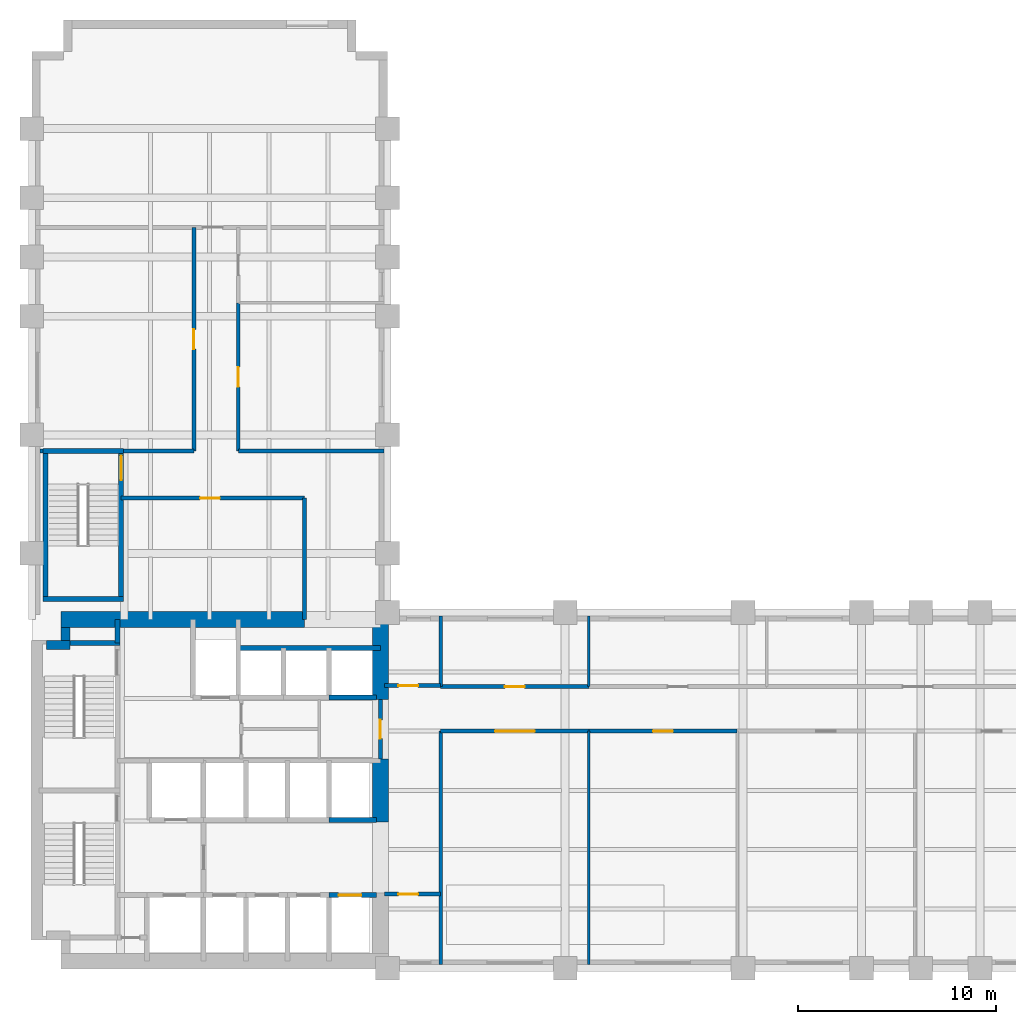
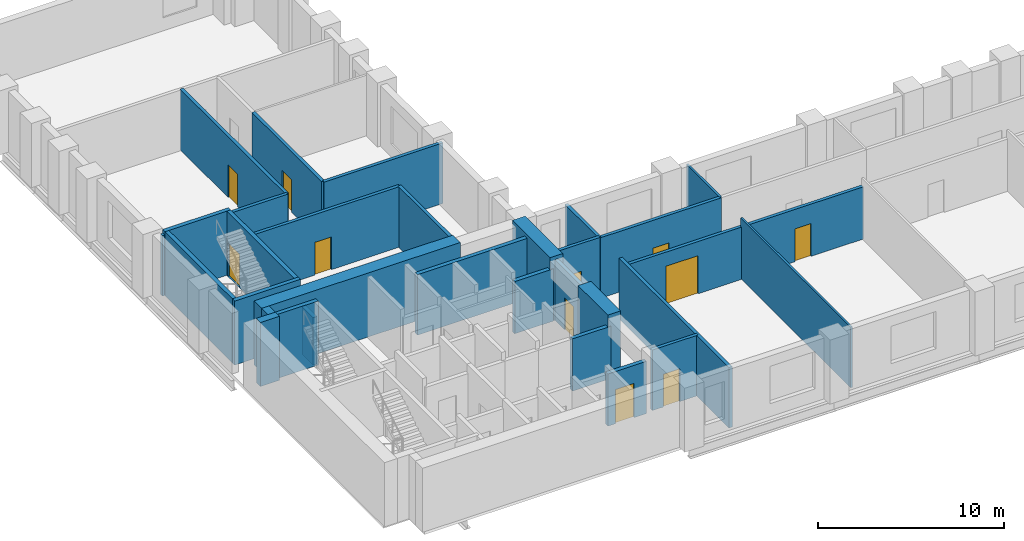
# One storey, part 4 of 7: 32 walls, 11 doors, 11 openings.
"""IFC4 building model written with IfcOpenShell, lengths in metres."""

from ifc_helpers import new_model, si_unit, direction, frame, frame_2d, origin, place, context, subcontext, project, spatial, rectangle, extrude, material, layer, layer_set, type_object, element, fill, save


model = new_model("IFC4")

# Units and contexts
model_context = context("Model", 3, precision=1e-05, world=origin(), true_north=direction((0.0, 1.0)))
body_context = subcontext(model_context, "Body", "Model", "MODEL_VIEW")
ifc_project = project(units=[si_unit("LENGTHUNIT", "METRE"), si_unit("AREAUNIT", "SQUARE_METRE"), si_unit("VOLUMEUNIT", "CUBIC_METRE"), si_unit("PLANEANGLEUNIT", "RADIAN"), si_unit("MASSUNIT", "GRAM", prefix="KILO")], contexts=[model_context])

# Site, building, storey
site_placement = place(None, origin())
site = spatial("IfcSite", under=ifc_project, at=site_placement, CompositionType="ELEMENT")
building_placement = place(site_placement, origin())
building = spatial("IfcBuilding", under=site, at=building_placement, Name="Mawjdan Bourse Tower", CompositionType="ELEMENT")
storey_placement = place(building_placement, frame((0.0, 0.0, 72.0)))
storey = spatial("IfcBuildingStorey", under=building, at=storey_placement, Name="L16", CompositionType="ELEMENT", Elevation=72.0)

# Wall, opening, door
ifc_material_1 = material(Name="Gypsum Fireboard Assembly")
ifc_layer_1 = layer(ifc_material_1, 0.199951171875)
ifc_layer_set_1 = layer_set([ifc_layer_1], Name="Gypsum Fireboard Assembly")
wall_type_1 = type_object("IfcWallType", Name="WL-CMP-200", PredefinedType="PARTITIONING", material=ifc_layer_set_1)
wall_1_placement = place(storey_placement, frame((23.64990234375, 13.60009765625, 0.0), z_axis=(0.0, 0.0, 1.0), x_axis=(0.0, 1.0, 0.0)))
wall_1 = element("IfcWall", 1, at=wall_1_placement, inside=storey, type_object=wall_type_1, Name="L16 Core Restroom East Enclosing Wall", PredefinedType="PARTITIONING", context=body_context, shape_type="SweptSolid", body=[
    extrude(rectangle(XDim=3.0, YDim=0.199951171875, at=frame_2d((1.5, 0.0))), origin(), (0.0, 0.0, 1.0), 3.969970703125),
])
opening_1_placement = place(wall_1_placement, frame((1.02001953125, 0.0, 0.0)))
opening_1 = element("IfcOpeningElement", 2, at=opening_1_placement, cuts=wall_1, Name="Opening D-L16-16", PredefinedType="OPENING", context=body_context, shape_type="SweptSolid", body=[
    extrude(rectangle(XDim=0.949951171875, YDim=2.10009765625, at=frame_2d((0.47509765625, 1.050048828125))), frame((0.0, 0.10986328125, 0.0), z_axis=(0.0, -1.0, 0.0), x_axis=(1.0, 0.0, 0.0)), (0.0, 0.0, 1.0), 0.219970703125),
])
ifc_material_2 = material(Name="Moisture-Resistant Laminate Timber", Category="wood")
door_type_1 = type_object("IfcDoorType", Name="DR-WET-0950", OperationType="NOTDEFINED", PredefinedType="DOOR", material=ifc_material_2)
door_1_placement = place(opening_1_placement, origin())
door_1 = element("IfcDoor", 3, at=door_1_placement, inside=storey, type_object=door_type_1, Name="L16 Female Restroom East Entry Door D-L16-16", OperationType="SINGLE_SWING_LEFT", OverallHeight=2.10009765625, OverallWidth=0.949951171875, PredefinedType="DOOR", context=body_context, shape_type="SweptSolid", body=[
    extrude(rectangle(XDim=0.949951171875, YDim=2.10009765625, at=frame_2d((0.47509765625, 1.050048828125))), frame((0.0, 0.02490234375, 0.0), z_axis=(0.0, -1.0, 0.0), x_axis=(1.0, 0.0, 0.0)), (0.0, 0.0, 1.0), 0.050048828125),
])
fill(opening_1, door_1)

wall_2_placement = place(storey_placement, frame((23.85009765625, 6.75, 0.0), z_axis=(0.0, 0.0, 1.0), x_axis=(1.0, 0.0, 0.0)))
wall_2 = element("IfcWall", 4, at=wall_2_placement, inside=storey, type_object=wall_type_1, Name="L16 West Pocket North Wall", PredefinedType="PARTITIONING", context=body_context, shape_type="SweptSolid", body=[
    extrude(rectangle(XDim=2.849853515625, YDim=0.199951171875, at=frame_2d((1.4248046875, 0.0))), origin(), (0.0, 0.0, 1.0), 3.969970703125),
])
opening_2_placement = place(wall_2_placement, frame((0.699951171875, 0.0, 0.0)))
opening_2 = element("IfcOpeningElement", 5, at=opening_2_placement, cuts=wall_2, Name="Opening D-L16-18", PredefinedType="OPENING", context=body_context, shape_type="SweptSolid", body=[
    extrude(rectangle(XDim=1.0, YDim=2.14990234375, at=frame_2d((0.5, 1.074951171875))), frame((0.0, 0.10986328125, 0.0), z_axis=(0.0, -1.0, 0.0), x_axis=(1.0, 0.0, 0.0)), (0.0, 0.0, 1.0), 0.219970703125),
])
ifc_material_3 = material(Name="Hardwood Acoustic Leaf", Category="wood")
door_type_2 = type_object("IfcDoorType", Name="DR-OFC-1000", OperationType="NOTDEFINED", PredefinedType="DOOR", material=ifc_material_3)
door_2_placement = place(opening_2_placement, origin())
door_2 = element("IfcDoor", 6, at=door_2_placement, inside=storey, type_object=door_type_2, Name="L16 West Pocket Office Door D-L16-18", OperationType="SINGLE_SWING_LEFT", OverallHeight=2.14990234375, OverallWidth=1.0, PredefinedType="DOOR", context=body_context, shape_type="SweptSolid", body=[
    extrude(rectangle(XDim=1.0, YDim=2.14990234375, at=frame_2d((0.5, 1.074951171875))), frame((0.0, 0.02490234375, 0.0), z_axis=(0.0, -1.0, 0.0), x_axis=(1.0, 0.0, 0.0)), (0.0, 0.0, 1.0), 0.050048828125),
])
fill(opening_2, door_2)

wall_3_placement = place(storey_placement, frame((23.85009765625, 17.300048828125, 0.0), z_axis=(0.0, 0.0, 1.0), x_axis=(1.0, 0.0, 0.0)))
wall_3 = element("IfcWall", 7, at=wall_3_placement, inside=storey, type_object=wall_type_1, Name="L16 West North Pocket Wall", PredefinedType="PARTITIONING", context=body_context, shape_type="SweptSolid", body=[
    extrude(rectangle(XDim=2.849853515625, YDim=0.199951171875, at=frame_2d((1.4248046875, 0.0))), origin(), (0.0, 0.0, 1.0), 3.969970703125),
])
opening_3_placement = place(wall_3_placement, frame((0.699951171875, 0.0, 0.0)))
opening_3 = element("IfcOpeningElement", 8, at=opening_3_placement, cuts=wall_3, Name="Opening D-L16-19", PredefinedType="OPENING", context=body_context, shape_type="SweptSolid", body=[
    extrude(rectangle(XDim=1.0, YDim=2.14990234375, at=frame_2d((0.5, 1.074951171875))), frame((0.0, 0.10986328125, 0.0), z_axis=(0.0, -1.0, 0.0), x_axis=(1.0, 0.0, 0.0)), (0.0, 0.0, 1.0), 0.219970703125),
])
door_3_placement = place(opening_3_placement, origin())
door_3 = element("IfcDoor", 9, at=door_3_placement, inside=storey, type_object=door_type_2, Name="L16 West North Pocket Door D-L16-19", OperationType="SINGLE_SWING_RIGHT", OverallHeight=2.14990234375, OverallWidth=1.0, PredefinedType="DOOR", context=body_context, shape_type="SweptSolid", body=[
    extrude(rectangle(XDim=1.0, YDim=2.14990234375, at=frame_2d((0.5, 1.074951171875))), frame((0.0, 0.02490234375, 0.0), z_axis=(0.0, -1.0, 0.0), x_axis=(1.0, 0.0, 0.0)), (0.0, 0.0, 1.0), 0.050048828125),
])
fill(opening_3, door_3)

# Walls
wall_4_placement = place(storey_placement, frame((26.699951171875, 3.179931640625, 0.0), z_axis=(0.0, 0.0, 1.0), x_axis=(0.0, 1.0, 0.0)))
element("IfcWall", 10, at=wall_4_placement, inside=storey, type_object=wall_type_1, Name="L16 Vestibule South East Wall", PredefinedType="PARTITIONING", context=body_context, shape_type="SweptSolid", body=[
    extrude(rectangle(XDim=11.820068359375, YDim=0.199951171875, at=frame_2d((5.91015625, 0.0))), origin(), (0.0, 0.0, 1.0), 3.969970703125),
])
wall_5_placement = place(storey_placement, frame((26.699951171875, 17.25, 0.0), z_axis=(0.0, 0.0, 1.0), x_axis=(0.0, 1.0, 0.0)))
element("IfcWall", 11, at=wall_5_placement, inside=storey, type_object=wall_type_1, Name="L16 Vestibule North East Wall", PredefinedType="PARTITIONING", context=body_context, shape_type="SweptSolid", body=[
    extrude(rectangle(XDim=3.570068359375, YDim=0.199951171875, at=frame_2d((1.78515625, 0.0))), origin(), (0.0, 0.0, 1.0), 3.969970703125),
])

# Wall, opening, door
wall_6_placement = place(storey_placement, frame((26.699951171875, 15.0, 0.0), z_axis=(0.0, 0.0, 1.0), x_axis=(1.0, 0.0, 0.0)))
wall_6 = element("IfcWall", 12, at=wall_6_placement, inside=storey, type_object=wall_type_1, Name="L16 Trading Floor Corridor Wall", PredefinedType="PARTITIONING", context=body_context, shape_type="SweptSolid", body=[
    extrude(rectangle(XDim=7.5, YDim=0.199951171875, at=frame_2d((3.75, 0.0))), origin(), (0.0, 0.0, 1.0), 3.426025390625),
])
opening_4_placement = place(wall_6_placement, frame((2.75, 0.0, 0.0)))
opening_4 = element("IfcOpeningElement", 13, at=opening_4_placement, cuts=wall_6, Name="Opening D-L16-20", PredefinedType="OPENING", context=body_context, shape_type="SweptSolid", body=[
    extrude(rectangle(XDim=2.0, YDim=2.5, at=frame_2d((1.0, 1.25))), frame((0.0, 0.10986328125, 0.0), z_axis=(0.0, -1.0, 0.0), x_axis=(1.0, 0.0, 0.0)), (0.0, 0.0, 1.0), 0.219970703125),
])
ifc_material_4 = material(Name="Acoustic Veneered Timber", Category="wood")
door_type_3 = type_object("IfcDoorType", Name="DR-ASM-2000", OperationType="DOUBLE_DOOR_SINGLE_SWING", PredefinedType="DOOR", material=ifc_material_4)
door_4_placement = place(opening_4_placement, origin())
door_4 = element("IfcDoor", 14, at=door_4_placement, inside=storey, type_object=door_type_3, Name="L16 Trading Floor Door D-L16-20", OperationType="DOUBLE_DOOR_SINGLE_SWING", OverallHeight=2.5, OverallWidth=2.0, PredefinedType="DOOR", context=body_context, shape_type="SweptSolid", body=[
    extrude(rectangle(XDim=2.0, YDim=2.5, at=frame_2d((1.0, 1.25))), frame((0.0, 0.02490234375, 0.0), z_axis=(0.0, -1.0, 0.0), x_axis=(1.0, 0.0, 0.0)), (0.0, 0.0, 1.0), 0.050048828125),
])
fill(opening_4, door_4)

wall_7_placement = place(storey_placement, frame((34.199951171875, 15.0, 0.0), z_axis=(0.0, 0.0, 1.0), x_axis=(1.0, 0.0, 0.0)))
wall_7 = element("IfcWall", 15, at=wall_7_placement, inside=storey, type_object=wall_type_1, Name="L16 Fixed Income Office Corridor Wall", PredefinedType="PARTITIONING", context=body_context, shape_type="SweptSolid", body=[
    extrude(rectangle(XDim=7.5, YDim=0.199951171875, at=frame_2d((3.75, 0.0))), origin(), (0.0, 0.0, 1.0), 3.426025390625),
])
opening_5_placement = place(wall_7_placement, frame((3.25, 0.0, 0.0)))
opening_5 = element("IfcOpeningElement", 16, at=opening_5_placement, cuts=wall_7, Name="Opening D-L16-21", PredefinedType="OPENING", context=body_context, shape_type="SweptSolid", body=[
    extrude(rectangle(XDim=1.0, YDim=2.14990234375, at=frame_2d((0.5, 1.074951171875))), frame((0.0, 0.10986328125, 0.0), z_axis=(0.0, -1.0, 0.0), x_axis=(1.0, 0.0, 0.0)), (0.0, 0.0, 1.0), 0.219970703125),
])
door_5_placement = place(opening_5_placement, origin())
door_5 = element("IfcDoor", 17, at=door_5_placement, inside=storey, type_object=door_type_2, Name="L16 Fixed Income Office Door D-L16-21", OperationType="SINGLE_SWING_LEFT", OverallHeight=2.14990234375, OverallWidth=1.0, PredefinedType="DOOR", context=body_context, shape_type="SweptSolid", body=[
    extrude(rectangle(XDim=1.0, YDim=2.14990234375, at=frame_2d((0.5, 1.074951171875))), frame((0.0, 0.02490234375, 0.0), z_axis=(0.0, -1.0, 0.0), x_axis=(1.0, 0.0, 0.0)), (0.0, 0.0, 1.0), 0.050048828125),
])
fill(opening_5, door_5)

wall_8_placement = place(storey_placement, frame((26.699951171875, 17.25, 0.0), z_axis=(0.0, 0.0, 1.0), x_axis=(1.0, 0.0, 0.0)))
wall_8 = element("IfcWall", 18, at=wall_8_placement, inside=storey, type_object=wall_type_1, Name="L16 Executive Office Corridor Wall", PredefinedType="PARTITIONING", context=body_context, shape_type="SweptSolid", body=[
    extrude(rectangle(XDim=7.5, YDim=0.199951171875, at=frame_2d((3.75, 0.0))), origin(), (0.0, 0.0, 1.0), 3.969970703125),
])
opening_6_placement = place(wall_8_placement, frame((3.25, 0.0, 0.0)))
opening_6 = element("IfcOpeningElement", 19, at=opening_6_placement, cuts=wall_8, Name="Opening D-L16-24", PredefinedType="OPENING", context=body_context, shape_type="SweptSolid", body=[
    extrude(rectangle(XDim=1.0, YDim=2.14990234375, at=frame_2d((0.5, 1.074951171875))), frame((0.0, 0.10986328125, 0.0), z_axis=(0.0, -1.0, 0.0), x_axis=(1.0, 0.0, 0.0)), (0.0, 0.0, 1.0), 0.219970703125),
])
door_6_placement = place(opening_6_placement, origin())
door_6 = element("IfcDoor", 20, at=door_6_placement, inside=storey, type_object=door_type_2, Name="L16 Executive Office Door D-L16-24", OperationType="SINGLE_SWING_RIGHT", OverallHeight=2.14990234375, OverallWidth=1.0, PredefinedType="DOOR", context=body_context, shape_type="SweptSolid", body=[
    extrude(rectangle(XDim=1.0, YDim=2.14990234375, at=frame_2d((0.5, 1.074951171875))), frame((0.0, 0.02490234375, 0.0), z_axis=(0.0, -1.0, 0.0), x_axis=(1.0, 0.0, 0.0)), (0.0, 0.0, 1.0), 0.050048828125),
])
fill(opening_6, door_6)

wall_9_placement = place(storey_placement, frame((10.52001953125, 26.800048828125, 0.0), z_axis=(0.0, 0.0, 1.0), x_axis=(1.0, 0.0, 0.0)))
wall_9 = element("IfcWall", 21, at=wall_9_placement, inside=storey, type_object=wall_type_1, Name="L16 North Throat North Wall", PredefinedType="PARTITIONING", context=body_context, shape_type="SweptSolid", body=[
    extrude(rectangle(XDim=9.280029296875, YDim=0.199951171875, at=frame_2d((4.64013671875, 0.0))), origin(), (0.0, 0.0, 1.0), 3.969970703125),
])
opening_7_placement = place(wall_9_placement, frame((4.0, 0.0, 0.0)))
opening_7 = element("IfcOpeningElement", 22, at=opening_7_placement, cuts=wall_9, Name="Opening D-L16-28", PredefinedType="OPENING", context=body_context, shape_type="SweptSolid", body=[
    extrude(rectangle(XDim=1.0, YDim=2.14990234375, at=frame_2d((0.5, 1.074951171875))), frame((0.0, 0.10986328125, 0.0), z_axis=(0.0, -1.0, 0.0), x_axis=(1.0, 0.0, 0.0)), (0.0, 0.0, 1.0), 0.219970703125),
])
door_7_placement = place(opening_7_placement, origin())
door_7 = element("IfcDoor", 23, at=door_7_placement, inside=storey, type_object=door_type_2, Name="L16 North Throat Suite Door D-L16-28", OperationType="SINGLE_SWING_LEFT", OverallHeight=2.14990234375, OverallWidth=1.0, PredefinedType="DOOR", context=body_context, shape_type="SweptSolid", body=[
    extrude(rectangle(XDim=1.0, YDim=2.14990234375, at=frame_2d((0.5, 1.074951171875))), frame((0.0, 0.02490234375, 0.0), z_axis=(0.0, -1.0, 0.0), x_axis=(1.0, 0.0, 0.0)), (0.0, 0.0, 1.0), 0.050048828125),
])
fill(opening_7, door_7)

# Walls
wall_10_placement = place(storey_placement, frame((19.800048828125, 20.64990234375, 0.0), z_axis=(0.0, 0.0, 1.0), x_axis=(0.0, 1.0, 0.0)))
element("IfcWall", 24, at=wall_10_placement, inside=storey, type_object=wall_type_1, Name="L16 North Throat East Wall", PredefinedType="PARTITIONING", context=body_context, shape_type="SweptSolid", body=[
    extrude(rectangle(XDim=6.150146484375, YDim=0.199951171875, at=frame_2d((3.0751953125, 0.0))), origin(), (0.0, 0.0, 1.0), 3.969970703125),
])
wall_11_placement = place(storey_placement, frame((6.419921875, 29.179931640625, 0.0), z_axis=(0.0, 0.0, 1.0), x_axis=(1.0, 0.0, 0.0)))
element("IfcWall", 25, at=wall_11_placement, inside=storey, type_object=wall_type_1, Name="L16 North West Band ST3 West Return", PredefinedType="PARTITIONING", context=body_context, shape_type="SweptSolid", body=[
    extrude(rectangle(XDim=0.135009765625, YDim=0.199951171875, at=frame_2d((0.0673828125, 0.0))), origin(), (0.0, 0.0, 1.0), 3.969970703125),
])
wall_12_placement = place(storey_placement, frame((10.6298828125, 29.179931640625, 0.0), z_axis=(0.0, 0.0, 1.0), x_axis=(1.0, 0.0, 0.0)))
element("IfcWall", 26, at=wall_12_placement, inside=storey, type_object=wall_type_1, Name="L16 North West Band South Wall", PredefinedType="PARTITIONING", context=body_context, shape_type="SweptSolid", body=[
    extrude(rectangle(XDim=3.570068359375, YDim=0.199951171875, at=frame_2d((1.78515625, 0.0))), origin(), (0.0, 0.0, 1.0), 3.969970703125),
])
wall_13_placement = place(storey_placement, frame((16.449951171875, 29.179931640625, 0.0), z_axis=(0.0, 0.0, 1.0), x_axis=(1.0, 0.0, 0.0)))
element("IfcWall", 27, at=wall_13_placement, inside=storey, type_object=wall_type_1, Name="L16 North East Band South Wall", PredefinedType="PARTITIONING", context=body_context, shape_type="SweptSolid", body=[
    extrude(rectangle(XDim=7.3701171875, YDim=0.199951171875, at=frame_2d((3.68505859375, 0.0))), origin(), (0.0, 0.0, 1.0), 3.969970703125),
])

# Wall, opening, door
wall_14_placement = place(storey_placement, frame((14.199951171875, 29.179931640625, 0.0), z_axis=(0.0, 0.0, 1.0), x_axis=(0.0, 1.0, 0.0)))
wall_14 = element("IfcWall", 28, at=wall_14_placement, inside=storey, type_object=wall_type_1, Name="L16 Fixed Income Office Corridor Wall", PredefinedType="PARTITIONING", context=body_context, shape_type="SweptSolid", body=[
    extrude(rectangle(XDim=11.320068359375, YDim=0.199951171875, at=frame_2d((5.66015625, 0.0))), origin(), (0.0, 0.0, 1.0), 3.969970703125),
])
opening_8_placement = place(wall_14_placement, frame((5.159912109375, 0.0, 0.0)))
opening_8 = element("IfcOpeningElement", 29, at=opening_8_placement, cuts=wall_14, Name="Opening D-L16-29", PredefinedType="OPENING", context=body_context, shape_type="SweptSolid", body=[
    extrude(rectangle(XDim=1.0, YDim=2.14990234375, at=frame_2d((0.5, 1.074951171875))), frame((0.0, 0.10986328125, 0.0), z_axis=(0.0, -1.0, 0.0), x_axis=(1.0, 0.0, 0.0)), (0.0, 0.0, 1.0), 0.219970703125),
])
door_8_placement = place(opening_8_placement, origin())
door_8 = element("IfcDoor", 30, at=door_8_placement, inside=storey, type_object=door_type_2, Name="L16 Fixed Income Office Door D-L16-29", OperationType="SINGLE_SWING_RIGHT", OverallHeight=2.14990234375, OverallWidth=1.0, PredefinedType="DOOR", context=body_context, shape_type="SweptSolid", body=[
    extrude(rectangle(XDim=1.0, YDim=2.14990234375, at=frame_2d((0.5, 1.074951171875))), frame((0.0, 0.02490234375, 0.0), z_axis=(0.0, -1.0, 0.0), x_axis=(1.0, 0.0, 0.0)), (0.0, 0.0, 1.0), 0.050048828125),
])
fill(opening_8, door_8)

wall_15_placement = place(storey_placement, frame((16.449951171875, 29.179931640625, 0.0), z_axis=(0.0, 0.0, 1.0), x_axis=(0.0, 1.0, 0.0)))
wall_15 = element("IfcWall", 31, at=wall_15_placement, inside=storey, type_object=wall_type_1, Name="L16 Training Seminar Room Corridor Wall", PredefinedType="PARTITIONING", context=body_context, shape_type="SweptSolid", body=[
    extrude(rectangle(XDim=7.5, YDim=0.199951171875, at=frame_2d((3.75, 0.0))), origin(), (0.0, 0.0, 1.0), 3.969970703125),
])
opening_9_placement = place(wall_15_placement, frame((3.25, 0.0, 0.0)))
opening_9 = element("IfcOpeningElement", 32, at=opening_9_placement, cuts=wall_15, Name="Opening D-L16-30", PredefinedType="OPENING", context=body_context, shape_type="SweptSolid", body=[
    extrude(rectangle(XDim=1.0, YDim=2.14990234375, at=frame_2d((0.5, 1.074951171875))), frame((0.0, 0.10986328125, 0.0), z_axis=(0.0, -1.0, 0.0), x_axis=(1.0, 0.0, 0.0)), (0.0, 0.0, 1.0), 0.219970703125),
])
door_9_placement = place(opening_9_placement, origin())
door_9 = element("IfcDoor", 33, at=door_9_placement, inside=storey, type_object=door_type_2, Name="L16 Training Seminar Room Door D-L16-30", OperationType="SINGLE_SWING_LEFT", OverallHeight=2.14990234375, OverallWidth=1.0, PredefinedType="DOOR", context=body_context, shape_type="SweptSolid", body=[
    extrude(rectangle(XDim=1.0, YDim=2.14990234375, at=frame_2d((0.5, 1.074951171875))), frame((0.0, 0.02490234375, 0.0), z_axis=(0.0, -1.0, 0.0), x_axis=(1.0, 0.0, 0.0)), (0.0, 0.0, 1.0), 0.050048828125),
])
fill(opening_9, door_9)

# Walls
ifc_material_5 = material(Name="Concrete C60/75", Category="concrete")
ifc_layer_2 = layer(ifc_material_5, 0.449951171875)
ifc_layer_set_2 = layer_set([ifc_layer_2], Name="Concrete C60/75")
wall_type_2 = type_object("IfcWallType", Name="WL-CORE-450", PredefinedType="SHEAR", material=ifc_layer_set_2)
wall_16_placement = place(storey_placement, frame((6.75, 19.35009765625, 0.0), z_axis=(0.0, 0.0, 1.0), x_axis=(1.0, 0.0, 0.0)))
element("IfcWall", 34, at=wall_16_placement, inside=storey, type_object=wall_type_2, Name="L16 Rear Core Shear Wall NW-X", PredefinedType="SHEAR", context=body_context, shape_type="SweptSolid", body=[
    extrude(rectangle(XDim=1.175048828125, YDim=0.449951171875, at=frame_2d((0.58740234375, 0.0))), origin(), (0.0, 0.0, 1.0), 4.199951171875),
])
wall_17_placement = place(storey_placement, frame((7.699951171875, 19.574951171875, 0.0), z_axis=(0.0, 0.0, 1.0), x_axis=(0.0, 1.0, 0.0)))
element("IfcWall", 35, at=wall_17_placement, inside=storey, type_object=wall_type_2, Name="L16 Rear Core Shear Wall NW-Y", PredefinedType="SHEAR", context=body_context, shape_type="SweptSolid", body=[
    extrude(rectangle(XDim=0.675048828125, YDim=0.449951171875, at=frame_2d((0.33740234375, 0.0))), origin(), (0.0, 0.0, 1.0), 4.199951171875),
])
ifc_material_6 = material(Name="Concrete C80/95", Category="concrete")
ifc_layer_3 = layer(ifc_material_6, 0.800048828125)
ifc_layer_set_3 = layer_set([ifc_layer_3], Name="Concrete C80/95")
wall_type_3 = type_object("IfcWallType", Name="WL-CORE-800", PredefinedType="SHEAR", material=ifc_layer_set_3)
wall_18_placement = place(storey_placement, frame((7.47509765625, 20.64990234375, 0.0), z_axis=(0.0, 0.0, 1.0), x_axis=(1.0, 0.0, 0.0)))
element("IfcWall", 36, at=wall_18_placement, inside=storey, type_object=wall_type_3, Name="L16 Rear Core Shear Wall N", PredefinedType="SHEAR", context=body_context, shape_type="SweptSolid", body=[
    extrude(rectangle(XDim=12.324951171875, YDim=0.800048828125, at=frame_2d((6.16259765625, 0.0))), origin(), (0.0, 0.0, 1.0), 4.199951171875),
])
wall_19_placement = place(storey_placement, frame((23.64990234375, 10.39990234375, 0.0), z_axis=(0.0, 0.0, 1.0), x_axis=(0.0, 1.0, 0.0)))
element("IfcWall", 37, at=wall_19_placement, inside=storey, type_object=wall_type_3, Name="L16 Rear Core Shear Wall E2", PredefinedType="SHEAR", context=body_context, shape_type="SweptSolid", body=[
    extrude(rectangle(XDim=3.2001953125, YDim=0.800048828125, at=frame_2d((1.60009765625, 0.0))), origin(), (0.0, 0.0, 1.0), 4.199951171875),
])
wall_20_placement = place(storey_placement, frame((23.64990234375, 16.60009765625, 0.0), z_axis=(0.0, 0.0, 1.0), x_axis=(0.0, 1.0, 0.0)))
element("IfcWall", 38, at=wall_20_placement, inside=storey, type_object=wall_type_3, Name="L16 Rear Core Shear Wall E3", PredefinedType="SHEAR", context=body_context, shape_type="SweptSolid", body=[
    extrude(rectangle(XDim=4.0498046875, YDim=0.800048828125, at=frame_2d((2.02490234375, 0.0))), origin(), (0.0, 0.0, 1.0), 4.199951171875),
])
ifc_material_7 = material(Name="Gypsum Partition")
ifc_layer_4 = layer(ifc_material_7, 0.125)
ifc_layer_set_4 = layer_set([ifc_layer_4], Name="Gypsum Partition")
wall_type_4 = type_object("IfcWallType", Name="WL-PRT-125", PredefinedType="PARTITIONING", material=ifc_layer_set_4)
wall_21_placement = place(storey_placement, frame((34.199951171875, 3.179931640625, 0.0), z_axis=(0.0, 0.0, 1.0), x_axis=(0.0, 1.0, 0.0)))
element("IfcWall", 39, at=wall_21_placement, inside=storey, type_object=wall_type_4, Name="L16 Fixed Income Office Partition", PredefinedType="PARTITIONING", context=body_context, shape_type="SweptSolid", body=[
    extrude(rectangle(XDim=11.820068359375, YDim=0.125, at=frame_2d((5.91015625, 0.0))), origin(), (0.0, 0.0, 1.0), 3.969970703125),
])
wall_22_placement = place(storey_placement, frame((34.199951171875, 17.25, 0.0), z_axis=(0.0, 0.0, 1.0), x_axis=(0.0, 1.0, 0.0)))
element("IfcWall", 40, at=wall_22_placement, inside=storey, type_object=wall_type_4, Name="L16 Training Seminar Room Partition", PredefinedType="PARTITIONING", context=body_context, shape_type="SweptSolid", body=[
    extrude(rectangle(XDim=3.570068359375, YDim=0.125, at=frame_2d((1.78515625, 0.0))), origin(), (0.0, 0.0, 1.0), 3.969970703125),
])
ifc_material_8 = material(Name="Concrete C50/60", Category="concrete")
ifc_layer_5 = layer(ifc_material_8, 0.25)
ifc_layer_set_5 = layer_set([ifc_layer_5], Name="Concrete C50/60")
wall_type_5 = type_object("IfcWallType", Name="WL-SHFT-250", PredefinedType="PARTITIONING", material=ifc_layer_set_5)
wall_23_placement = place(storey_placement, frame((10.330078125, 19.449951171875, 0.0), z_axis=(0.0, 0.0, 1.0), x_axis=(0.0, 1.0, 0.0)))
element("IfcWall", 41, at=wall_23_placement, inside=storey, type_object=wall_type_5, Name="L16 NW Riser East Wall", PredefinedType="PARTITIONING", context=body_context, shape_type="SweptSolid", body=[
    extrude(rectangle(XDim=1.199951171875, YDim=0.25, at=frame_2d((0.60009765625, 0.0))), origin(), (0.0, 0.0, 1.0), 3.114013671875),
])
wall_24_placement = place(storey_placement, frame((21.050048828125, 16.699951171875, 0.0), z_axis=(0.0, 0.0, 1.0), x_axis=(1.0, 0.0, 0.0)))
element("IfcWall", 42, at=wall_24_placement, inside=storey, type_object=wall_type_5, Name="L16 PH-03 Front Wall", PredefinedType="PARTITIONING", context=body_context, shape_type="SweptSolid", body=[
    extrude(rectangle(XDim=2.39990234375, YDim=0.25, at=frame_2d((1.199951171875, 0.0))), origin(), (0.0, 0.0, 1.0), 3.426025390625),
])
wall_25_placement = place(storey_placement, frame((16.449951171875, 19.199951171875, 0.0), z_axis=(0.0, 0.0, 1.0), x_axis=(1.0, 0.0, 0.0)))
element("IfcWall", 43, at=wall_25_placement, inside=storey, type_object=wall_type_5, Name="L16 PH Bank North Shaft Back Wall", PredefinedType="PARTITIONING", context=body_context, shape_type="SweptSolid", body=[
    extrude(rectangle(XDim=7.199951171875, YDim=0.25, at=frame_2d((3.60009765625, 0.0))), origin(), (0.0, 0.0, 1.0), 3.969970703125),
])

# Wall, opening, door
wall_26_placement = place(storey_placement, frame((21.050048828125, 6.699951171875, 0.0), z_axis=(0.0, 0.0, 1.0), x_axis=(1.0, 0.0, 0.0)))
wall_26 = element("IfcWall", 44, at=wall_26_placement, inside=storey, type_object=wall_type_5, Name="L16 PL-03 Front Wall", PredefinedType="PARTITIONING", context=body_context, shape_type="SweptSolid", body=[
    extrude(rectangle(XDim=2.39990234375, YDim=0.25, at=frame_2d((1.199951171875, 0.0))), origin(), (0.0, 0.0, 1.0), 3.426025390625),
])
opening_10_placement = place(wall_26_placement, frame((0.47998046875, 0.0, 0.0)))
opening_10 = element("IfcOpeningElement", 45, at=opening_10_placement, cuts=wall_26, Name="Opening LD-L16-13", PredefinedType="OPENING", context=body_context, shape_type="SweptSolid", body=[
    extrude(rectangle(XDim=1.14990234375, YDim=2.25, at=frame_2d((0.574951171875, 1.125))), frame((0.0, 0.135009765625, 0.0), z_axis=(0.0, -1.0, 0.0), x_axis=(1.0, 0.0, 0.0)), (0.0, 0.0, 1.0), 0.27001953125),
])
ifc_material_9 = material(Name="Brushed Stainless Steel", Category="steel")
door_type_4 = type_object("IfcDoorType", Name="LD-PAS-1150", OperationType="DOUBLE_DOOR_SLIDING", PredefinedType="DOOR", material=ifc_material_9)
door_10_placement = place(opening_10_placement, origin())
door_10 = element("IfcDoor", 46, at=door_10_placement, inside=storey, type_object=door_type_4, Name="L16 Lift PL-03 Landing Door LD-L16-13", OperationType="DOUBLE_DOOR_SLIDING", OverallHeight=2.25, OverallWidth=1.14990234375, PredefinedType="DOOR", context=body_context, shape_type="SweptSolid", body=[
    extrude(rectangle(XDim=1.14990234375, YDim=2.25, at=frame_2d((0.574951171875, 1.125))), frame((0.0, 0.02490234375, 0.0), z_axis=(0.0, -1.0, 0.0), x_axis=(1.0, 0.0, 0.0)), (0.0, 0.0, 1.0), 0.050048828125),
])
fill(opening_10, door_10)

# Walls
wall_27_placement = place(storey_placement, frame((21.050048828125, 10.5, 0.0), z_axis=(0.0, 0.0, 1.0), x_axis=(1.0, 0.0, 0.0)))
element("IfcWall", 47, at=wall_27_placement, inside=storey, type_object=wall_type_5, Name="L16 PM-04 Front Wall", PredefinedType="PARTITIONING", context=body_context, shape_type="SweptSolid", body=[
    extrude(rectangle(XDim=2.39990234375, YDim=0.25, at=frame_2d((1.199951171875, 0.0))), origin(), (0.0, 0.0, 1.0), 3.426025390625),
])
ifc_layer_6 = layer(ifc_material_8, 0.25)
ifc_layer_set_6 = layer_set([ifc_layer_6], Name="Concrete C50/60")
wall_type_6 = type_object("IfcWallType", Name="WL-STRW-250", PredefinedType="SHEAR", material=ifc_layer_set_6)
wall_28_placement = place(storey_placement, frame((7.699951171875, 19.449951171875, 0.0), z_axis=(0.0, 0.0, 1.0), x_axis=(1.0, 0.0, 0.0)))
element("IfcWall", 48, at=wall_28_placement, inside=storey, type_object=wall_type_6, Name="L16 Stairwell ST2 North Shaft Wall", PredefinedType="SHEAR", context=body_context, shape_type="SweptSolid", body=[
    extrude(rectangle(XDim=2.755126953125, YDim=0.25, at=frame_2d((1.37744140625, 0.0))), origin(), (0.0, 0.0, 1.0), 4.199951171875),
])
for number, where, z_axis, x_axis, name in (
    (49, (6.554931640625, 21.679931640625, 0.0), (0.0, 0.0, 1.0), (1.0, 0.0, 0.0), "L16 ST3 South Shaft Wall"),
    (50, (6.554931640625, 29.179931640625, 0.0), (0.0, 0.0, 1.0), (1.0, 0.0, 0.0), "L16 ST3 North Shaft Wall"),
):
    element("IfcWall", number, at=place(storey_placement, frame(where, z_axis=z_axis, x_axis=x_axis)), inside=storey, type_object=wall_type_6, Name=name, PredefinedType="SHEAR", context=body_context, shape_type="SweptSolid", body=[
        extrude(rectangle(XDim=4.090087890625, YDim=0.25, at=frame_2d((2.044921875, 0.0))), origin(), (0.0, 0.0, 1.0), 4.199951171875),
    ])
wall_29_placement = place(storey_placement, frame((6.679931640625, 21.679931640625, 0.0), z_axis=(0.0, 0.0, 1.0), x_axis=(0.0, 1.0, 0.0)))
element("IfcWall", 51, at=wall_29_placement, inside=storey, type_object=wall_type_6, Name="L16 ST3 West Shaft Wall", PredefinedType="SHEAR", context=body_context, shape_type="SweptSolid", body=[
    extrude(rectangle(XDim=7.5, YDim=0.25, at=frame_2d((3.75, 0.0))), origin(), (0.0, 0.0, 1.0), 4.199951171875),
])

# Wall, opening, door
wall_30_placement = place(storey_placement, frame((10.52001953125, 21.679931640625, 0.0), z_axis=(0.0, 0.0, 1.0), x_axis=(0.0, 1.0, 0.0)))
wall_30 = element("IfcWall", 52, at=wall_30_placement, inside=storey, type_object=wall_type_6, Name="L16 ST3 East Shaft Wall", PredefinedType="SHEAR", context=body_context, shape_type="SweptSolid", body=[
    extrude(rectangle(XDim=7.5, YDim=0.25, at=frame_2d((3.75, 0.0))), origin(), (0.0, 0.0, 1.0), 4.199951171875),
])
opening_11_placement = place(wall_30_placement, frame((6.02001953125, 0.0, 0.0)))
opening_11 = element("IfcOpeningElement", 53, at=opening_11_placement, cuts=wall_30, Name="Opening SD-L16-17", PredefinedType="OPENING", context=body_context, shape_type="SweptSolid", body=[
    extrude(rectangle(XDim=1.25, YDim=2.199951171875, at=frame_2d((0.625, 1.10009765625))), frame((0.0, 0.135009765625, 0.0), z_axis=(0.0, -1.0, 0.0), x_axis=(1.0, 0.0, 0.0)), (0.0, 0.0, 1.0), 0.27001953125),
])
ifc_material_10 = material(Name="Fire-Rated Steel Leaf", Category="steel")
door_type_5 = type_object("IfcDoorType", Name="FD-ST-1250", OperationType="NOTDEFINED", PredefinedType="DOOR", material=ifc_material_10)
door_11_placement = place(opening_11_placement, origin())
door_11 = element("IfcDoor", 54, at=door_11_placement, inside=storey, type_object=door_type_5, Name="L16 Stair ST3 Fire Door SD-L16-17", OperationType="SINGLE_SWING_RIGHT", OverallHeight=2.199951171875, OverallWidth=1.25, PredefinedType="DOOR", context=body_context, shape_type="SweptSolid", body=[
    extrude(rectangle(XDim=1.25, YDim=2.199951171875, at=frame_2d((0.625, 1.10009765625))), frame((0.0, 0.02490234375, 0.0), z_axis=(0.0, -1.0, 0.0), x_axis=(1.0, 0.0, 0.0)), (0.0, 0.0, 1.0), 0.050048828125),
])
fill(opening_11, door_11)

save(model, "model.ifc")
